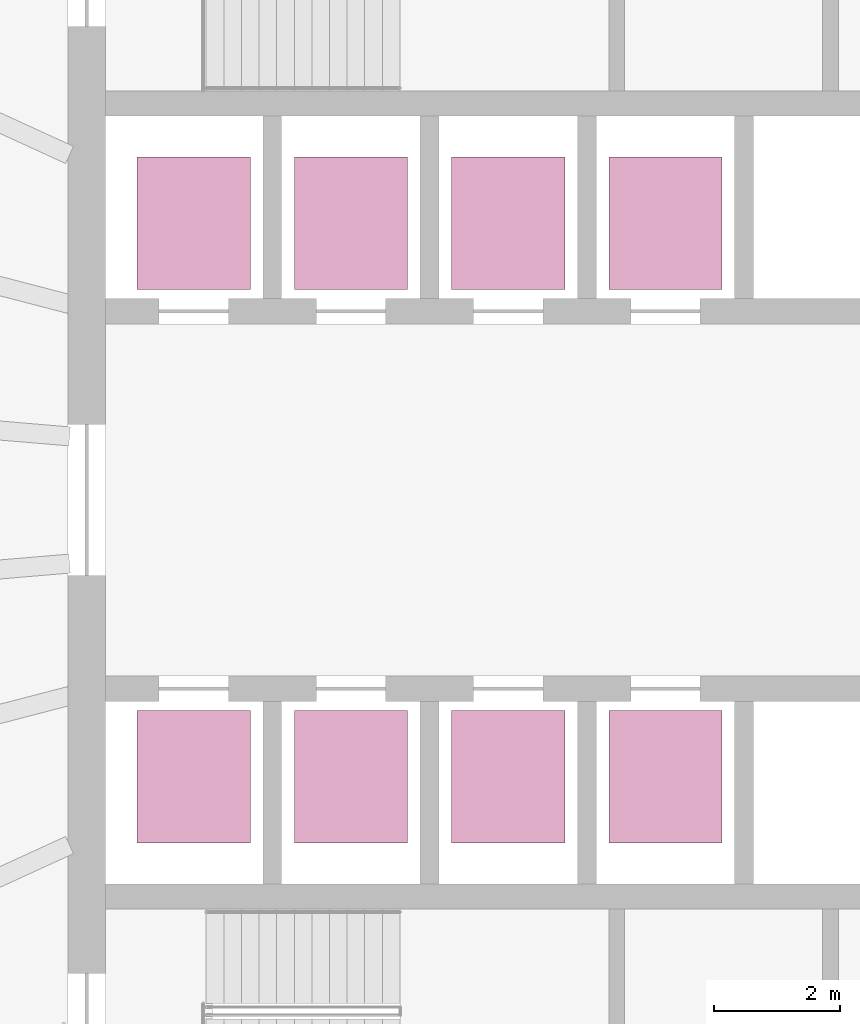
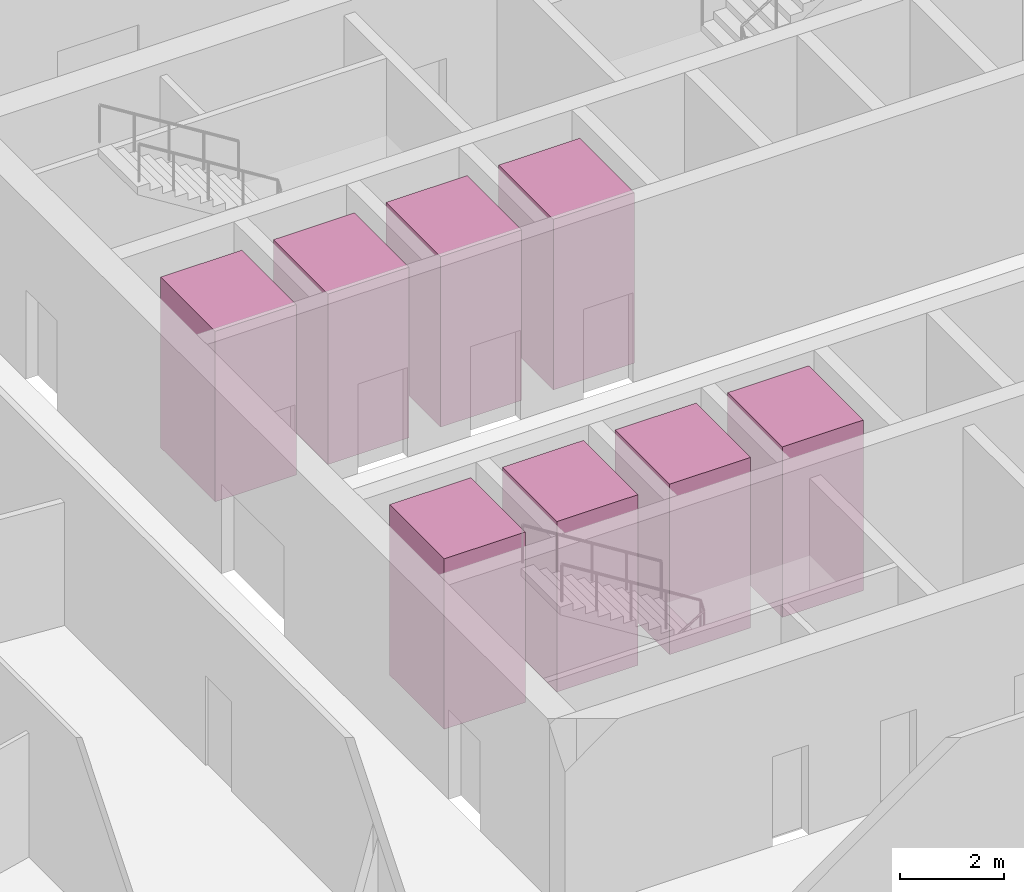
# One storey, part 11 of 11: 8 transport elements.
"""IFC4 building model written with IfcOpenShell, lengths in metres."""

from ifc_helpers import new_model, si_unit, direction, frame, origin, origin_2d, place, context, subcontext, project, spatial, rectangle, extrude, material, type_object, element, save


model = new_model("IFC4")

# Units and contexts
model_context = context("Model", 3, precision=1e-05, world=origin(), true_north=direction((0.0, 1.0)))
body_context = subcontext(model_context, "Body", "Model", "MODEL_VIEW")
ifc_project = project(units=[si_unit("LENGTHUNIT", "METRE"), si_unit("AREAUNIT", "SQUARE_METRE"), si_unit("VOLUMEUNIT", "CUBIC_METRE"), si_unit("PLANEANGLEUNIT", "RADIAN"), si_unit("MASSUNIT", "GRAM", prefix="KILO")], contexts=[model_context])

# Site, building, storey
site_placement = place(None, origin())
site = spatial("IfcSite", under=ifc_project, at=site_placement, CompositionType="ELEMENT")
building_placement = place(site_placement, origin())
building = spatial("IfcBuilding", under=site, at=building_placement, Name="Halqa Exchange Tower", CompositionType="ELEMENT")
storey_placement = place(building_placement, frame((0.0, 0.0, 73.89990234375)))
storey = spatial("IfcBuildingStorey", under=building, at=storey_placement, Name="L16", CompositionType="ELEMENT", Elevation=73.89990234375)

# Transport elements
ifc_material = material(Name="Stainless steel", Category="steel")
transport_element_type = type_object("IfcTransportElementType", Name="Low-rise passenger lift 1800 x 2100", PredefinedType="ELEVATOR", material=ifc_material)
for number, where, z_axis, x_axis, name in (
    (1, (-10.0, 4.39990234375, 0.0), (0.0, 0.0, 1.0), (1.0, 0.0, 0.0), "Low-rise passenger lift LR1"),
    (2, (-7.5, 4.39990234375, 0.0), (0.0, 0.0, 1.0), (1.0, 0.0, 0.0), "Low-rise passenger lift LR2"),
    (3, (-5.0, 4.39990234375, 0.0), (0.0, 0.0, 1.0), (1.0, 0.0, 0.0), "Low-rise passenger lift LR3"),
    (4, (-2.5, 4.39990234375, 0.0), (0.0, 0.0, 1.0), (1.0, 0.0, 0.0), "Low-rise passenger lift LR4"),
    (5, (-10.0, -4.39990234375, 0.0), (0.0, 0.0, 1.0), (1.0, 0.0, 0.0), "Low-rise passenger lift LR5"),
    (6, (-7.5, -4.39990234375, 0.0), (0.0, 0.0, 1.0), (1.0, 0.0, 0.0), "Low-rise passenger lift LR6"),
    (7, (-5.0, -4.39990234375, 0.0), (0.0, 0.0, 1.0), (1.0, 0.0, 0.0), "Low-rise passenger lift LR7"),
    (8, (-2.5, -4.39990234375, 0.0), (0.0, 0.0, 1.0), (1.0, 0.0, 0.0), "Low-rise passenger lift LR8"),
):
    element("IfcTransportElement", number, at=place(storey_placement, frame(where, z_axis=z_axis, x_axis=x_axis)), inside=storey, type_object=transport_element_type, Name=name, PredefinedType="ELEVATOR", context=body_context, shape_type="SweptSolid", body=[
        extrude(rectangle(XDim=1.800048828125, YDim=2.10009765625, at=origin_2d()), origin(), (0.0, 0.0, 1.0), 4.0),
    ])

save(model, "model.ifc")
